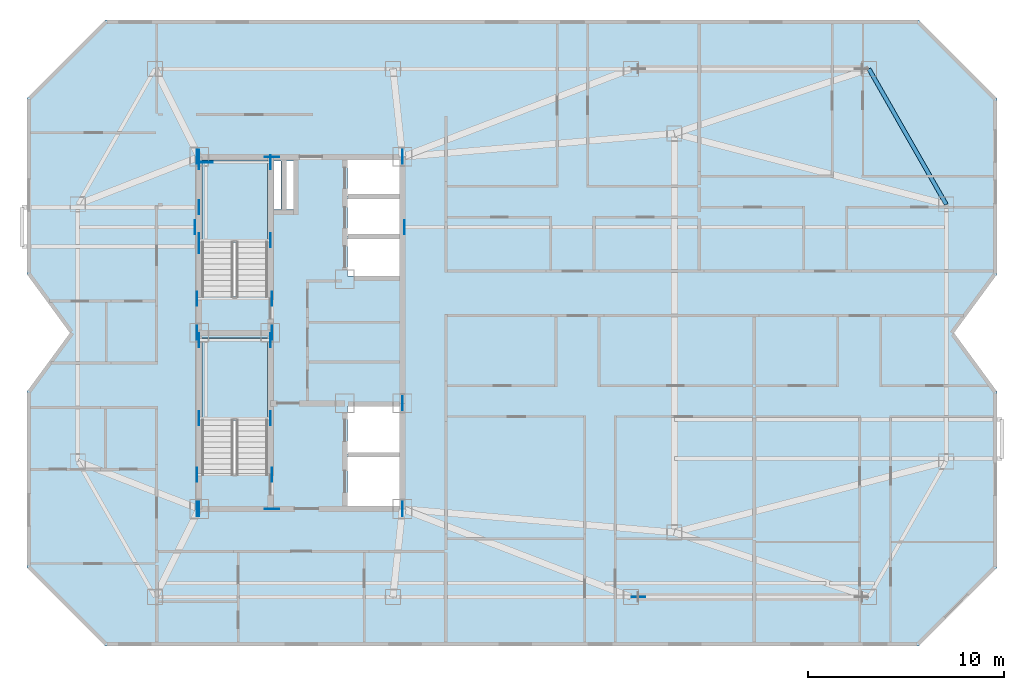
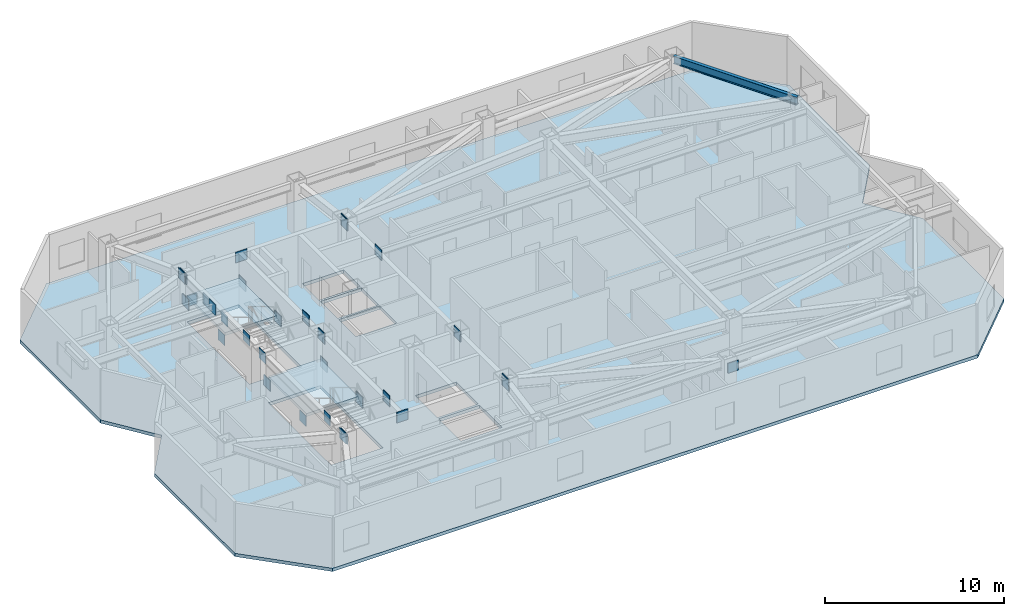
# One storey, part 2 of 9: 31 plates, 3 slabs, 1 beam, 2 elements without a shape of their own.
"""IFC4 building model written with IfcOpenShell, lengths in metres."""

from ifc_helpers import new_model, si_unit, direction, frame, origin, origin_2d, place, context, subcontext, project, spatial, polyline, rectangle, i_section, outline, extrude, material, layer, layer_set, material_profile, profile_set, type_object, element, aggregate, save


model = new_model("IFC4")

# Units and contexts
model_context = context("Model", 3, precision=1e-05, world=origin(), true_north=direction((0.0, 1.0)))
body_context = subcontext(model_context, "Body", "Model", "MODEL_VIEW")
ifc_project = project(units=[si_unit("LENGTHUNIT", "METRE"), si_unit("AREAUNIT", "SQUARE_METRE"), si_unit("VOLUMEUNIT", "CUBIC_METRE"), si_unit("PLANEANGLEUNIT", "RADIAN"), si_unit("MASSUNIT", "GRAM", prefix="KILO")], contexts=[model_context])

# Site, building, storey
site_placement = place(None, origin())
site = spatial("IfcSite", under=ifc_project, at=site_placement, CompositionType="ELEMENT")
building_placement = place(site_placement, origin())
building = spatial("IfcBuilding", under=site, at=building_placement, Name="Khamvora Tower", CompositionType="ELEMENT")
storey_placement = place(building_placement, frame((0.0, 0.0, 235.449951171875)))
storey = spatial("IfcBuildingStorey", under=building, at=storey_placement, Name="L60", CompositionType="ELEMENT", Elevation=235.449951171875)

# Beam
ifc_material_1 = material(Name="Steel S355", Category="steel")
ifc_material_profile = material_profile(ifc_material_1, i_section(OverallWidth=0.208984375, OverallDepth=0.532958984375, WebThickness=0.010009765625, FlangeThickness=0.01611328125, FilletRadius=0.013916015625, at=origin_2d()), Name="W530x92")
ifc_profile_set = profile_set([ifc_material_profile], Name="Steel S355")
beam_type = type_object("IfcBeamType", Name="BM-SP-W530x92", PredefinedType="SPANDREL", material=ifc_profile_set)
beam_placement = place(storey_placement, frame((67.199951171875, 34.574951171875, 3.1630859375), z_axis=(-0.495456118564, 0.868632968853, 0.0), x_axis=(-0.868632968853, -0.495456118564, 0.0)))
element("IfcBeam", 1, at=beam_placement, inside=storey, type_object=beam_type, Name="L60 perimeter spandrel beam E2-N4", PredefinedType="SPANDREL", context=body_context, shape_type="SweptSolid", body=[
    extrude(i_section(OverallWidth=0.208984375, OverallDepth=0.532958984375, WebThickness=0.010009765625, FlangeThickness=0.01611328125, FilletRadius=0.013916015625, at=origin_2d()), origin(), (0.0, 0.0, 1.0), 7.972412109375),
])

# Plates
ifc_material_2 = material(Name="Steel S460", Category="steel")
ifc_layer_1 = layer(ifc_material_2, 0.034912109375)
ifc_layer_set_1 = layer_set([ifc_layer_1], Name="Steel S460")
plate_type_1 = type_object("IfcPlateType", Name="PL-EMB-35", PredefinedType="SHEET", material=ifc_layer_set_1)
for number, where, z_axis, x_axis, name in (
    (2, (29.0, 23.635009765625, 1.13427734375), (0.0, 0.0, 1.0), (1.0, 0.0, 0.0), "L60 core shear wall cast-in embed plate 1744"),
    (3, (32.64990234375, 23.635009765625, 1.13427734375), (0.0, 0.0, 1.0), (1.0, 0.0, 0.0), "L60 core shear wall cast-in embed plate 1745"),
    (4, (29.0, 27.6298828125, 1.13427734375), (0.0, 0.0, 1.0), (1.0, 0.0, 0.0), "L60 core shear wall cast-in embed plate 1746"),
    (5, (32.64990234375, 27.6298828125, 1.13427734375), (0.0, 0.0, 1.0), (1.0, 0.0, 0.0), "L60 core shear wall cast-in embed plate 1747"),
    (6, (29.0, 32.735107421875, 1.13427734375), (0.0, 0.0, 1.0), (1.0, 0.0, 0.0), "L60 core shear wall cast-in embed plate 1748"),
    (7, (32.64990234375, 32.735107421875, 1.13427734375), (0.0, 0.0, 1.0), (1.0, 0.0, 0.0), "L60 core shear wall cast-in embed plate 1749"),
    (8, (29.0, 36.72998046875, 1.13427734375), (0.0, 0.0, 1.0), (1.0, 0.0, 0.0), "L60 core shear wall cast-in embed plate 1750"),
    (9, (32.64990234375, 36.72998046875, 1.13427734375), (0.0, 0.0, 1.0), (1.0, 0.0, 0.0), "L60 core shear wall cast-in embed plate 1751"),
):
    element("IfcPlate", number, at=place(storey_placement, frame(where, z_axis=z_axis, x_axis=x_axis)), inside=storey, type_object=plate_type_1, Name=name, PredefinedType="SHEET", context=body_context, shape_type="SweptSolid", body=[
        extrude(rectangle(XDim=0.034912109375, YDim=0.719970703125, at=origin_2d()), origin(), (0.0, 0.0, 1.0), 0.719970703125),
    ])
plate_1_placement = place(storey_placement, frame((29.35009765625, 36.72998046875, 1.13427734375), z_axis=(0.0, 0.0, 1.0), x_axis=(1.0, 0.0, 0.0)))
element("IfcPlate", 10, at=plate_1_placement, inside=storey, type_object=plate_type_1, Name="L60 core shear wall cast-in embed plate 1752", PredefinedType="SHEET", context=body_context, shape_type="SweptSolid", body=[
    extrude(rectangle(XDim=0.719970703125, YDim=0.034912109375, at=origin_2d()), origin(), (0.0, 0.0, 1.0), 0.719970703125),
])
for number, where, z_axis, x_axis, name in (
    (11, (29.0, 19.0, 2.72216796875), (0.0, 0.0, 1.0), (1.0, 0.0, 0.0), "L60 core shear wall cast-in embed plate 1753"),
    (12, (39.39990234375, 19.0, 2.72216796875), (0.0, 0.0, 1.0), (1.0, 0.0, 0.0), "L60 core shear wall cast-in embed plate 1754"),
    (13, (29.0, 37.0, 2.72216796875), (0.0, 0.0, 1.0), (1.0, 0.0, 0.0), "L60 core shear wall cast-in embed plate 1755"),
    (14, (39.39990234375, 37.0, 2.72216796875), (0.0, 0.0, 1.0), (1.0, 0.0, 0.0), "L60 core shear wall cast-in embed plate 1756"),
    (15, (28.89990234375, 19.0, 2.80322265625), (0.0, 0.0, 1.0), (1.0, 0.0, 0.0), "L60 core shear wall cast-in embed plate 1757"),
    (16, (28.89990234375, 28.0, 2.80322265625), (0.0, 0.0, 1.0), (1.0, 0.0, 0.0), "L60 core shear wall cast-in embed plate 1758"),
    (17, (28.89990234375, 37.0, 2.80322265625), (0.0, 0.0, 1.0), (1.0, 0.0, 0.0), "L60 core shear wall cast-in embed plate 1759"),
):
    element("IfcPlate", number, at=place(storey_placement, frame(where, z_axis=z_axis, x_axis=x_axis)), inside=storey, type_object=plate_type_1, Name=name, PredefinedType="SHEET", context=body_context, shape_type="SweptSolid", body=[
        extrude(rectangle(XDim=0.034912109375, YDim=0.719970703125, at=origin_2d()), origin(), (0.0, 0.0, 1.0), 0.719970703125),
    ])
plate_2_placement = place(storey_placement, frame((32.72998046875, 19.0, 2.80322265625), z_axis=(0.0, 0.0, 1.0), x_axis=(1.0, 0.0, 0.0)))
element("IfcPlate", 18, at=plate_2_placement, inside=storey, type_object=plate_type_1, Name="L60 core shear wall cast-in embed plate 1760", PredefinedType="SHEET", context=body_context, shape_type="SweptSolid", body=[
    extrude(rectangle(XDim=0.719970703125, YDim=0.034912109375, at=origin_2d()), origin(), (0.0, 0.0, 1.0), 0.719970703125),
])
plate_3_placement = place(storey_placement, frame((32.72998046875, 28.0, 2.80322265625), z_axis=(0.0, 0.0, 1.0), x_axis=(1.0, 0.0, 0.0)))
element("IfcPlate", 19, at=plate_3_placement, inside=storey, type_object=plate_type_1, Name="L60 core shear wall cast-in embed plate 1761", PredefinedType="SHEET", context=body_context, shape_type="SweptSolid", body=[
    extrude(rectangle(XDim=0.034912109375, YDim=0.719970703125, at=origin_2d()), origin(), (0.0, 0.0, 1.0), 0.719970703125),
])
plate_4_placement = place(storey_placement, frame((32.72998046875, 37.0, 2.80322265625), z_axis=(0.0, 0.0, 1.0), x_axis=(1.0, 0.0, 0.0)))
element("IfcPlate", 20, at=plate_4_placement, inside=storey, type_object=plate_type_1, Name="L60 core shear wall cast-in embed plate 1762", PredefinedType="SHEET", context=body_context, shape_type="SweptSolid", body=[
    extrude(rectangle(XDim=0.719970703125, YDim=0.034912109375, at=origin_2d()), origin(), (0.0, 0.0, 1.0), 0.719970703125),
])
for number, where, z_axis, x_axis, name in (
    (21, (39.39990234375, 19.0, 2.80322265625), (0.0, 0.0, 1.0), (1.0, 0.0, 0.0), "L60 core shear wall cast-in embed plate 1763"),
    (22, (39.39990234375, 24.39990234375, 2.80322265625), (0.0, 0.0, 1.0), (1.0, 0.0, 0.0), "L60 core shear wall cast-in embed plate 1764"),
    (23, (39.39990234375, 37.0, 2.80322265625), (0.0, 0.0, 1.0), (1.0, 0.0, 0.0), "L60 core shear wall cast-in embed plate 1765"),
    (24, (28.89990234375, 20.75, 2.94384765625), (0.0, 0.0, 1.0), (1.0, 0.0, 0.0), "L60 core shear wall cast-in embed plate 1766"),
    (25, (32.72998046875, 20.75, 2.94384765625), (0.0, 0.0, 1.0), (1.0, 0.0, 0.0), "L60 core shear wall cast-in embed plate 1767"),
    (26, (28.89990234375, 29.75, 2.94384765625), (0.0, 0.0, 1.0), (1.0, 0.0, 0.0), "L60 core shear wall cast-in embed plate 1768"),
    (27, (32.72998046875, 29.75, 2.94384765625), (0.0, 0.0, 1.0), (1.0, 0.0, 0.0), "L60 core shear wall cast-in embed plate 1769"),
    (28, (29.0, 32.425048828125, 2.60302734375), (0.0, 0.0, 1.0), (1.0, 0.0, 0.0), "L60 core shear wall cast-in embed plate 1770"),
    (29, (29.0, 34.425048828125, 2.60302734375), (0.0, 0.0, 1.0), (1.0, 0.0, 0.0), "L60 core shear wall cast-in embed plate 1771"),
    (30, (28.800048828125, 33.39990234375, 2.8671875), (0.0, 0.0, 1.0), (1.0, 0.0, 0.0), "L60 core shear wall cast-in embed plate 1772"),
    (31, (39.4990234375, 33.39990234375, 2.8671875), (0.0, 0.0, 1.0), (1.0, 0.0, 0.0), "L60 core shear wall cast-in embed plate 1773"),
):
    element("IfcPlate", number, at=place(storey_placement, frame(where, z_axis=z_axis, x_axis=x_axis)), inside=storey, type_object=plate_type_1, Name=name, PredefinedType="SHEET", context=body_context, shape_type="SweptSolid", body=[
        extrude(rectangle(XDim=0.034912109375, YDim=0.719970703125, at=origin_2d()), origin(), (0.0, 0.0, 1.0), 0.719970703125),
    ])
ifc_layer_2 = layer(ifc_material_2, 0.0400390625)
ifc_layer_set_2 = layer_set([ifc_layer_2], Name="Steel S460")
plate_type_2 = type_object("IfcPlateType", Name="PLT-GUS-40", PredefinedType="SHEET", material=ifc_layer_set_2)
plate_5_placement = place(storey_placement, frame((51.462890625, 14.5, 2.35498046875), z_axis=(0.0, 0.0, 1.0), x_axis=(1.0, 0.0, 0.0)))
element("IfcPlate", 32, at=plate_5_placement, inside=storey, type_object=plate_type_2, Name="L60 brace connection node gusset plate 0393", PredefinedType="SHEET", context=body_context, shape_type="SweptSolid", body=[
    extrude(rectangle(XDim=0.679931640625, YDim=0.0400390625, at=origin_2d()), origin(), (0.0, 0.0, 1.0), 0.679931640625),
])

# Stair, slab
ifc_material_3 = material(Name="Concrete C40/50", Category="concrete")
stair_type_1 = type_object("IfcStairType", Name="STR-ST-01", PredefinedType="HALF_TURN_STAIR", material=ifc_material_3)
stair_1_placement = place(storey_placement, origin())
stair_1 = element("IfcStair", 33, at=stair_1_placement, inside=storey, type_object=stair_type_1, Name="L60 South Tower Exit Stair ST-01", PredefinedType="HALF_TURN_STAIR")
ifc_layer_3 = layer(ifc_material_3, 0.199951171875)
ifc_layer_set_3 = layer_set([ifc_layer_3], Name="Concrete C40/50")
slab_type_1 = type_object("IfcSlabType", Name="SLB-LND-200", PredefinedType="LANDING", material=ifc_layer_set_3)
slab_1_placement = place(storey_placement, frame((0.0, 0.0, 1.625)))
slab_1 = element("IfcSlab", 34, at=slab_1_placement, type_object=slab_type_1, Name="ST-01 landing 1", PredefinedType="LANDING", context=body_context, shape_type="SweptSolid", body=[
    extrude(outline(polyline([(32.5, 23.514892578125), (32.5, 27.75), (29.14990234375, 27.75), (29.14990234375, 23.514892578125), (32.5, 23.514892578125)])), origin(), (0.0, 0.0, 1.0), 0.199951171875),
])
aggregate(stair_1, [slab_1])

stair_type_2 = type_object("IfcStairType", Name="STR-ST-02", PredefinedType="HALF_TURN_STAIR", material=ifc_material_3)
stair_2_placement = place(storey_placement, origin())
stair_2 = element("IfcStair", 35, at=stair_2_placement, inside=storey, type_object=stair_type_2, Name="L60 North Tower Exit Stair ST-02", PredefinedType="HALF_TURN_STAIR")
slab_2_placement = place(storey_placement, frame((0.0, 0.0, 1.625)))
slab_2 = element("IfcSlab", 36, at=slab_2_placement, type_object=slab_type_1, Name="ST-02 landing 1", PredefinedType="LANDING", context=body_context, shape_type="SweptSolid", body=[
    extrude(outline(polyline([(32.5, 32.614990234375), (32.5, 36.85009765625), (29.14990234375, 36.85009765625), (29.14990234375, 32.614990234375), (32.5, 32.614990234375)])), origin(), (0.0, 0.0, 1.0), 0.199951171875),
])
aggregate(stair_2, [slab_2])

# Slab
ifc_material_4 = material(Name="Concrete C35/45", Category="concrete")
ifc_layer_4 = layer(ifc_material_4, 0.219970703125)
ifc_layer_set_4 = layer_set([ifc_layer_4], Name="Concrete C35/45")
slab_type_2 = type_object("IfcSlabType", Name="SLB-TYP-220", PredefinedType="FLOOR", material=ifc_layer_set_4)
slab_3_placement = place(storey_placement, frame((0.0, 0.0, -0.219970703125)))
element("IfcSlab", 37, at=slab_3_placement, inside=storey, type_object=slab_type_2, Name="L60 structural floor slab", PredefinedType="FLOOR", context=body_context, shape_type="SweptSolid", body=[
    extrude(outline(polyline([(24.199951171875, 12.0), (65.800048828125, 12.0), (69.800048828125, 16.0), (69.800048828125, 25.0), (67.60009765625, 28.0), (69.800048828125, 31.0), (69.800048828125, 40.0), (65.800048828125, 44.0), (24.199951171875, 44.0), (20.199951171875, 40.0), (20.199951171875, 31.0), (22.39990234375, 28.0), (20.199951171875, 25.0), (20.199951171875, 16.0), (24.199951171875, 12.0)]), holes=[polyline([(32.5, 20.760009765625), (32.5, 27.75), (29.14990234375, 27.75), (29.14990234375, 20.760009765625), (32.5, 20.760009765625)]), polyline([(32.5, 29.860107421875), (32.5, 36.85009765625), (29.14990234375, 36.85009765625), (29.14990234375, 29.860107421875), (32.5, 29.860107421875)]), polyline([(36.60009765625, 19.14990234375), (39.25, 19.14990234375), (39.25, 21.64990234375), (36.60009765625, 21.64990234375), (36.60009765625, 19.14990234375)]), polyline([(36.60009765625, 21.800048828125), (39.25, 21.800048828125), (39.25, 24.25), (36.60009765625, 24.25), (36.60009765625, 21.800048828125)]), polyline([(36.60009765625, 30.89990234375), (39.25, 30.89990234375), (39.25, 32.800048828125), (36.60009765625, 32.800048828125), (36.60009765625, 30.89990234375)]), polyline([(36.60009765625, 32.949951171875), (39.25, 32.949951171875), (39.25, 34.85009765625), (36.60009765625, 34.85009765625), (36.60009765625, 32.949951171875)]), polyline([(36.60009765625, 35.0), (39.25, 35.0), (39.25, 36.85009765625), (36.60009765625, 36.85009765625), (36.60009765625, 35.0)]), polyline([(32.800048828125, 34.300048828125), (33.199951171875, 34.300048828125), (33.199951171875, 36.800048828125), (32.800048828125, 36.800048828125), (32.800048828125, 34.300048828125)]), polyline([(33.47998046875, 34.300048828125), (33.820068359375, 34.300048828125), (33.820068359375, 36.800048828125), (33.47998046875, 36.800048828125), (33.47998046875, 34.300048828125)])]), origin(), (0.0, 0.0, 1.0), 0.219970703125),
])

save(model, "model.ifc")
